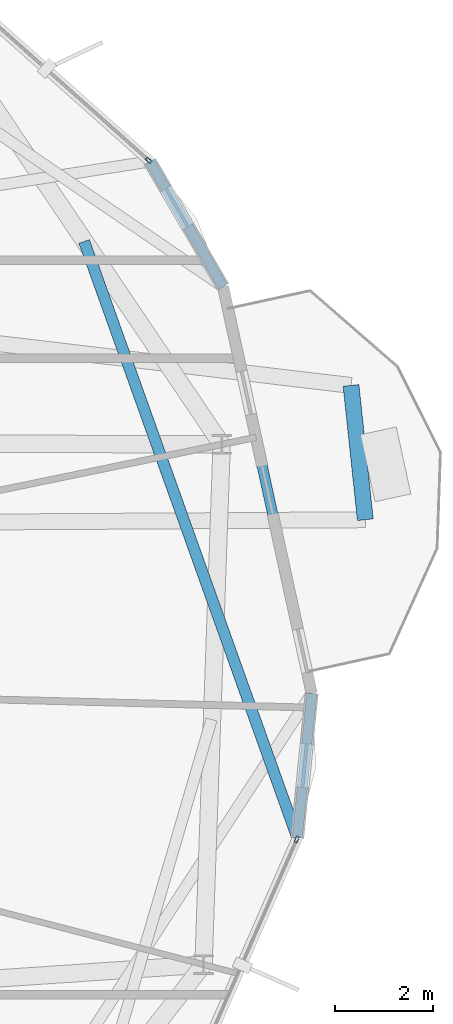
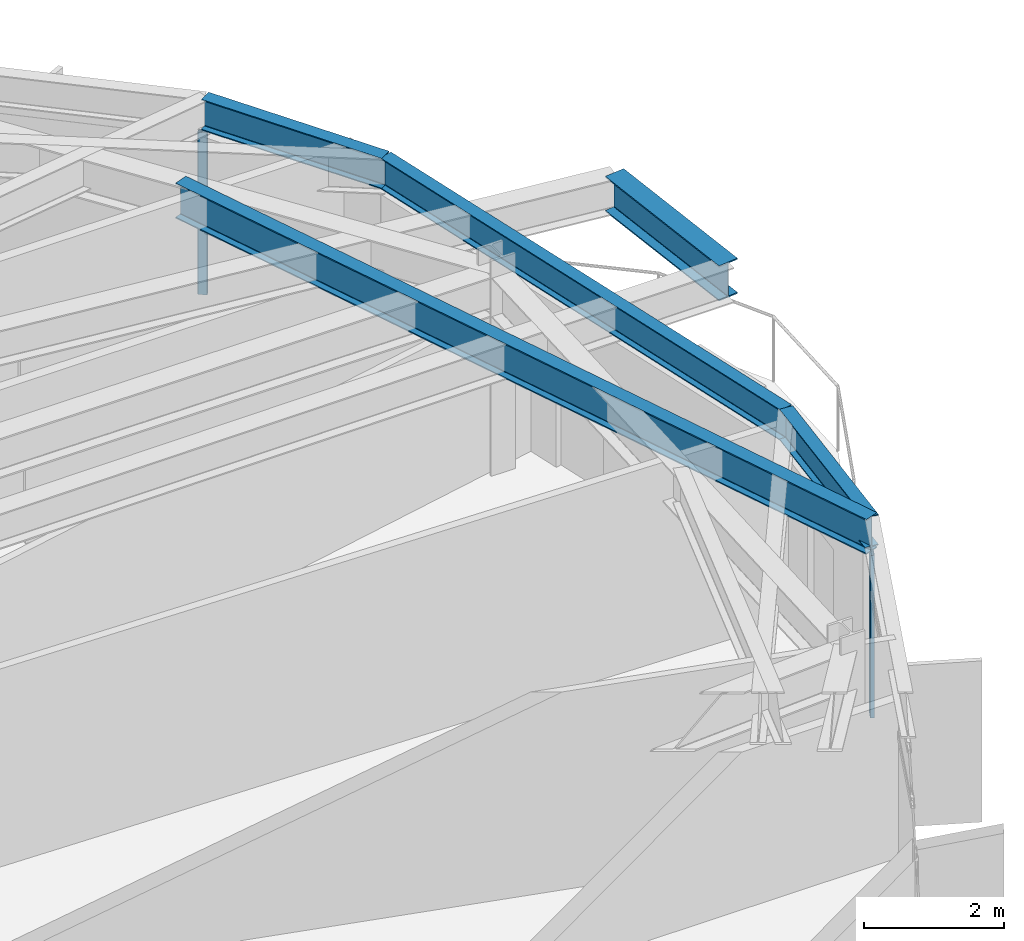
# One storey, part 14 of 25: 5 beams, 2 members, 2 elements without a shape of their own.
"""IFC4 building model written with IfcOpenShell, lengths in metres."""

import ifcopenshell
import ifcopenshell.guid

model = None  # the IFC model being written
_history = None  # IfcOwnerHistory: only IFC2X3 demands one
_inside = {}  # id of a spatial element -> (the spatial element, [elements in it])
_under = {}  # id of a project, library or spatial element -> (it, [spatial elements below it])
_declared = {}  # id of a project -> (the project, [libraries it declares])
_typed = {}  # id of a type object -> (the type object, [elements of that type])
_made_of = {}  # id of a material, layer set ... -> (it, [elements and type objects made of it])


def new_model(schema):
    """Start an empty IFC model of exactly this schema.

    Asked for "IFC4X3", IfcOpenShell would pick the latest addendum, in which some entities
    have other attributes; the version numbers below select the first issue.
    IFC2X3 requires an IfcOwnerHistory on every rooted entity: one is made here for all.
    """
    global model, _history
    if schema == "IFC4X3":
        model = ifcopenshell.file(schema_version=(4, 3, 0, 0))
    else:
        model = ifcopenshell.file(schema=schema)
    _inside.clear()
    _under.clear()
    _declared.clear()
    _typed.clear()
    _made_of.clear()
    _history = None
    if model.schema == "IFC2X3":
        org = make("IfcOrganization", Name="unknown")
        user = make(
            "IfcPersonAndOrganization",
            ThePerson=make("IfcPerson", FamilyName="unknown"),
            TheOrganization=org,
        )
        app = make(
            "IfcApplication",
            ApplicationDeveloper=org,
            Version="unknown",
            ApplicationFullName="unknown",
            ApplicationIdentifier="unknown",
        )
        _history = make(
            "IfcOwnerHistory",
            OwningUser=user,
            OwningApplication=app,
            ChangeAction="ADDED",
            CreationDate=0,
        )
    return model


def make(cls, **values):
    """One entity of the class cls with the attributes given. An attribute that is None is left unset."""
    return model.create_entity(
        cls, **{name: value for name, value in values.items() if value is not None}
    )


def rooted(cls, **values):
    """An entity with a GlobalId (a new one), such as an element, a storey or a relation."""
    return make(cls, GlobalId=ifcopenshell.guid.new(), OwnerHistory=_history, **values)


def si_unit(unit_type, name, prefix=None):
    """IfcSIUnit, for example si_unit("LENGTHUNIT", "METRE", prefix="MILLI")."""
    return make("IfcSIUnit", UnitType=unit_type, Prefix=prefix, Name=name)


def assignment(units):
    """IfcUnitAssignment: the units of a project."""
    return None if units is None else make("IfcUnitAssignment", Units=units)


def point(xyz):
    """IfcCartesianPoint."""
    return None if xyz is None else make("IfcCartesianPoint", Coordinates=xyz)


def direction(xyz):
    """IfcDirection."""
    return None if xyz is None else make("IfcDirection", DirectionRatios=xyz)


def frame(location, z_axis=None, x_axis=None):
    """IfcAxis2Placement3D, a coordinate frame: its origin and axes. An axis left out is left unset."""
    return make(
        "IfcAxis2Placement3D",
        Location=point(location),
        Axis=direction(z_axis),
        RefDirection=direction(x_axis),
    )


def frame_2d(location, x_axis=None):
    """IfcAxis2Placement2D, a coordinate frame in the plane: its origin and x axis."""
    return make(
        "IfcAxis2Placement2D", Location=point(location), RefDirection=direction(x_axis)
    )


def origin():
    """The frame at (0, 0, 0) with its axes left unset."""
    return frame((0.0, 0.0, 0.0))


def origin_2d():
    """The frame at (0, 0) in the plane with its x axis left unset."""
    return frame_2d((0.0, 0.0))


def place(relative_to, where):
    """IfcLocalPlacement: puts the frame where relative to a parent placement (None: the world)."""
    return make(
        "IfcLocalPlacement", PlacementRelTo=relative_to, RelativePlacement=where
    )


def context(
    kind, dimensions, precision=None, world=None, true_north=None, identifier=None
):
    """IfcGeometricRepresentationContext, for example the 3D "Model" context."""
    return make(
        "IfcGeometricRepresentationContext",
        ContextIdentifier=identifier,
        ContextType=kind,
        CoordinateSpaceDimension=dimensions,
        Precision=precision,
        WorldCoordinateSystem=world,
        TrueNorth=true_north,
    )


def subcontext(parent, identifier, kind, view, scale=None):
    """IfcGeometricRepresentationSubContext, for example "Body" below "Model"."""
    return make(
        "IfcGeometricRepresentationSubContext",
        ContextIdentifier=identifier,
        ContextType=kind,
        ParentContext=parent,
        TargetScale=scale,
        TargetView=view,
    )


def project(units=None, contexts=None):
    """IfcProject with its units and contexts."""
    return rooted(
        "IfcProject",
        Name="project",
        RepresentationContexts=contexts,
        UnitsInContext=assignment(units),
    )


def spatial(cls, under=None, at=None, **own):
    """A site, building, storey or space (cls), placed at a placement, below another one or the project."""
    s = rooted(cls, ObjectPlacement=at, **own)
    if under is not None:
        _under.setdefault(under.id(), (under, []))[1].append(s)
    return s


def profile(cls, at=None, kind="AREA", **sizes):
    """A parametric profile (cls). Its sizes go by their IFC names, for example OverallWidth=200.0."""
    return make(cls, ProfileType=kind, Position=at, **sizes)


def hollow_rectangle(**sizes):
    """IfcRectangleHollowProfileDef."""
    return profile("IfcRectangleHollowProfileDef", **sizes)


def i_section(**sizes):
    """IfcIShapeProfileDef."""
    return profile("IfcIShapeProfileDef", **sizes)


def extrude(swept, where, along, depth):
    """IfcExtrudedAreaSolid: the profile swept, set in the frame where, extruded along a direction by depth."""
    return make(
        "IfcExtrudedAreaSolid",
        SweptArea=swept,
        Position=where,
        ExtrudedDirection=direction(along),
        Depth=depth,
    )


def shape(context_of_items, identifier, shape_type, items):
    """IfcShapeRepresentation: the items that make up one representation, for example the "Body"."""
    return make(
        "IfcShapeRepresentation",
        ContextOfItems=context_of_items,
        RepresentationIdentifier=identifier,
        RepresentationType=shape_type,
        Items=items,
    )


def material(Name=None, Category=None):
    """IfcMaterial."""
    return make("IfcMaterial", Name=Name, Category=Category)


def layer(
    of_material, thickness, ventilated=None, Name=None, Category=None, Priority=None
):
    """IfcMaterialLayer: one layer of a wall or slab, of a material (None: an air gap)."""
    return make(
        "IfcMaterialLayer",
        Material=of_material,
        LayerThickness=thickness,
        IsVentilated=ventilated,
        Name=Name,
        Category=Category,
        Priority=Priority,
    )


def layer_set(layers, Name=None):
    """IfcMaterialLayerSet."""
    return make("IfcMaterialLayerSet", MaterialLayers=layers, LayerSetName=Name)


def material_profile(
    of_material, cross_section, Name=None, Category=None, Priority=None
):
    """IfcMaterialProfile: a cross section and its material."""
    return make(
        "IfcMaterialProfile",
        Name=Name,
        Material=of_material,
        Profile=cross_section,
        Priority=Priority,
        Category=Category,
    )


def profile_set(profiles, Name=None, composite=None):
    """IfcMaterialProfileSet."""
    return make(
        "IfcMaterialProfileSet",
        Name=Name,
        MaterialProfiles=profiles,
        CompositeProfile=composite,
    )


def made_of(thing, what):
    """Note that an element or type object is made of a material, layer set ...; save() writes the relation."""
    if what is not None:
        _made_of.setdefault(what.id(), (what, []))[1].append(thing)
    return thing


def type_object(cls, material=None, **own):
    """A type object (cls), such as IfcWallType, which elements share."""
    return made_of(rooted(cls, **own), material)


def element(
    cls,
    number,
    at=None,
    inside=None,
    cuts=None,
    type_object=None,
    material=None,
    context=None,
    identifier="Body",
    shape_type=None,
    held_by="IfcProductDefinitionShape",
    body=None,
    shapes=None,
    **own,
):
    """One element of the class cls, such as IfcWall. Its Tag is "e" and its number.

    at: its placement. inside: the storey or other place that contains it. cuts: it is an
    opening in that element (IfcRelVoidsElement). A single representation is given by context,
    identifier, shape_type and body (its items); several are given by shapes. held_by: the class
    of the entity that holds the representations. save() writes the other relations.
    """
    e = rooted(cls, Tag="e%d" % number, ObjectPlacement=at, **own)
    if body is not None:
        shapes = [shape(context, identifier, shape_type, body)]
    if shapes is not None:
        e.Representation = make(held_by, Representations=shapes)
    if inside is not None:
        _inside.setdefault(inside.id(), (inside, []))[1].append(e)
    if cuts is not None:
        rooted(
            "IfcRelVoidsElement", RelatingBuildingElement=cuts, RelatedOpeningElement=e
        )
    if type_object is not None:
        _typed.setdefault(type_object.id(), (type_object, []))[1].append(e)
    return made_of(e, material)


def aggregate(whole, parts):
    """IfcRelAggregates: a whole, such as a stair, and the parts it consists of."""
    return rooted("IfcRelAggregates", RelatingObject=whole, RelatedObjects=parts)


def save(model, path):
    """Write the relations noted so far, then the file.

    IfcRelAggregates (storeys below a building ...), IfcRelContainedInSpatialStructure (elements
    in a storey), IfcRelDefinesByType, IfcRelAssociatesMaterial and IfcRelDeclares: one each for
    every whole, place, type object, material and project.
    """
    for whole, parts in _under.values():
        aggregate(whole, parts)
    for where, things in _inside.values():
        rooted(
            "IfcRelContainedInSpatialStructure",
            RelatedElements=things,
            RelatingStructure=where,
        )
    for kind, things in _typed.values():
        rooted("IfcRelDefinesByType", RelatedObjects=things, RelatingType=kind)
    for what, things in _made_of.values():
        rooted("IfcRelAssociatesMaterial", RelatedObjects=things, RelatingMaterial=what)
    for by, libraries in _declared.values():
        rooted("IfcRelDeclares", RelatingContext=by, RelatedDefinitions=libraries)
    model.write(path)


model = new_model("IFC4")

# Units and contexts
model_context = context("Model", 3, precision=1e-05, world=origin(), true_north=direction((0.0, 1.0)))
body_context = subcontext(model_context, "Body", "Model", "MODEL_VIEW")
ifc_project = project(units=[si_unit("LENGTHUNIT", "METRE"), si_unit("AREAUNIT", "SQUARE_METRE"), si_unit("VOLUMEUNIT", "CUBIC_METRE"), si_unit("PLANEANGLEUNIT", "RADIAN"), si_unit("MASSUNIT", "GRAM", prefix="KILO")], contexts=[model_context])

# Site, building, storey
site_placement = place(None, origin())
site = spatial("IfcSite", under=ifc_project, at=site_placement, CompositionType="ELEMENT")
building_placement = place(site_placement, origin())
building = spatial("IfcBuilding", under=site, at=building_placement, Name="Soratama Intermodal Tower", CompositionType="ELEMENT")
storey_placement = place(building_placement, frame((0.0, 0.0, 276.25)))
storey = spatial("IfcBuildingStorey", under=building, at=storey_placement, Name="L70", CompositionType="ELEMENT", Elevation=276.25)

# Beams
ifc_material_1 = material(Name="Structural steel ASTM A992 Grade 50", Category="steel")
ifc_material_profile_1 = material_profile(ifc_material_1, i_section(OverallWidth=0.324951171875, OverallDepth=0.615966796875, WebThickness=0.013916015625, FlangeThickness=0.021484375, FilletRadius=0.013916015625, at=origin_2d()), Name="W24X117")
ifc_profile_set_1 = profile_set([ifc_material_profile_1], Name="Structural steel ASTM A992 Grade 50")
beam_type_1 = type_object("IfcBeamType", Name="BM-CANT-W24X117", PredefinedType="BEAM", material=ifc_profile_set_1)
beam_1_placement = place(storey_placement, frame((64.468017578125, 28.202880859375, 3.14208984375), z_axis=(-0.105845635219, 0.99438257301, 0.0), x_axis=(-0.99438257301, -0.105845635219, 0.0)))
element("IfcBeam", 1, at=beam_1_placement, inside=storey, type_object=beam_type_1, Name="BM-L70-CBHDR-1", PredefinedType="BEAM", context=body_context, shape_type="SweptSolid", body=[
    extrude(i_section(OverallWidth=0.324951171875, OverallDepth=0.615966796875, WebThickness=0.013916015625, FlangeThickness=0.021484375, FilletRadius=0.013916015625, at=origin_2d()), origin(), (0.0, 0.0, 1.0), 2.758544921875),
])
ifc_material_2 = material(Name="Structural steel ASTM A992 Grade 50", Category="steel")
ifc_material_profile_2 = material_profile(ifc_material_2, i_section(OverallWidth=0.2099609375, OverallDepth=0.537109375, WebThickness=0.010986328125, FlangeThickness=0.017333984375, FilletRadius=0.012939453125, at=origin_2d()), Name="W21X68")
ifc_profile_set_2 = profile_set([ifc_material_profile_2], Name="Structural steel ASTM A992 Grade 50")
beam_type_2 = type_object("IfcBeamType", Name="BM-SPN-W21X68", PredefinedType="SPANDREL", material=ifc_profile_set_2)
beam_2_placement = place(storey_placement, frame((63.080078125, 21.705078125, 3.181396484375), z_axis=(0.099414088841, 0.995046149151, 0.0), x_axis=(-0.995046149151, 0.099414088841, 0.0)))
element("IfcBeam", 2, at=beam_2_placement, inside=storey, type_object=beam_type_2, Name="BS-L70-CRN08", PredefinedType="SPANDREL", context=body_context, shape_type="SweptSolid", body=[
    extrude(i_section(OverallWidth=0.2099609375, OverallDepth=0.537109375, WebThickness=0.010986328125, FlangeThickness=0.017333984375, FilletRadius=0.012939453125, at=origin_2d()), origin(), (0.0, 0.0, 1.0), 2.966552734375),
])
beam_3_placement = place(storey_placement, frame((63.375, 24.656982421875, 3.181396484375), z_axis=(-0.213084315841, 0.977033814329, 0.0), x_axis=(-0.977033814329, -0.213084315841, 0.0)))
element("IfcBeam", 3, at=beam_3_placement, inside=storey, type_object=beam_type_2, Name="BS-L70-F09", PredefinedType="SPANDREL", context=body_context, shape_type="SweptSolid", body=[
    extrude(i_section(OverallWidth=0.2099609375, OverallDepth=0.537109375, WebThickness=0.010986328125, FlangeThickness=0.017333984375, FilletRadius=0.012939453125, at=origin_2d()), origin(), (0.0, 0.0, 1.0), 8.499267578125),
])
beam_4_placement = place(storey_placement, frame((61.56396484375, 32.9609375, 3.181396484375), z_axis=(-0.504515450366, 0.863402664081, 0.0), x_axis=(-0.863402664081, -0.504515450366, 0.0)))
element("IfcBeam", 4, at=beam_4_placement, inside=storey, type_object=beam_type_2, Name="BS-L70-CRN09", PredefinedType="SPANDREL", context=body_context, shape_type="SweptSolid", body=[
    extrude(i_section(OverallWidth=0.2099609375, OverallDepth=0.537109375, WebThickness=0.010986328125, FlangeThickness=0.017333984375, FilletRadius=0.012939453125, at=origin_2d()), origin(), (0.0, 0.0, 1.0), 2.96728515625),
])
ifc_material_3 = material(Name="Structural steel ASTM A992 Grade 50", Category="steel")
ifc_material_profile_3 = material_profile(ifc_material_3, i_section(OverallWidth=0.22900390625, OverallDepth=0.612060546875, WebThickness=0.011962890625, FlangeThickness=0.01953125, FilletRadius=0.012939453125, at=origin_2d()), Name="W24X84")
ifc_profile_set_3 = profile_set([ifc_material_profile_3], Name="Structural steel ASTM A992 Grade 50")
beam_type_3 = type_object("IfcBeamType", Name="BM-TIE-W24X84", PredefinedType="BEAM", material=ifc_profile_set_3)
beam_5_placement = place(storey_placement, frame((58.72509765625, 33.886962890625, 3.14404296875), z_axis=(0.336631665557, -0.94163640634, 0.0), x_axis=(0.94163640634, 0.336631665557, 0.0)))
element("IfcBeam", 5, at=beam_5_placement, inside=storey, type_object=beam_type_3, Name="BM-L70-TIE1-08", PredefinedType="BEAM", context=body_context, shape_type="SweptSolid", body=[
    extrude(i_section(OverallWidth=0.22900390625, OverallDepth=0.612060546875, WebThickness=0.011962890625, FlangeThickness=0.01953125, FilletRadius=0.012939453125, at=origin_2d()), origin(), (0.0, 0.0, 1.0), 12.93701171875),
])

# Curtain wall, member
ifc_material_4 = material(Name="Double-glazed aluminium curtain wall", Category="aluminium")
ifc_layer = layer(ifc_material_4, 0.159912109375)
ifc_layer_set = layer_set([ifc_layer], Name="Double-glazed aluminium curtain wall")
curtain_wall_type = type_object("IfcCurtainWallType", Name="CW-SYS-5", PredefinedType="NOTDEFINED", material=ifc_layer_set)
curtain_wall_1_placement = place(storey_placement, origin())
curtain_wall_1 = element("IfcCurtainWall", 6, at=curtain_wall_1_placement, inside=storey, type_object=curtain_wall_type, Name="L70 Faceted Curtain Wall F08", PredefinedType="NOTDEFINED")
ifc_material_5 = material(Name="Anodised aluminium AA 6063-T6", Category="aluminium")
ifc_material_profile_4 = material_profile(ifc_material_5, hollow_rectangle(XDim=0.06494140625, YDim=0.139892578125, WallThickness=0.0048828125, InnerFilletRadius=0.0048828125, OuterFilletRadius=0.010009765625, at=origin_2d()), Name="CWM140X65X5")
ifc_profile_set_4 = profile_set([ifc_material_profile_4], Name="Anodised aluminium AA 6063-T6")
member_type = type_object("IfcMemberType", Name="MT-CWM-5", PredefinedType="MULLION", material=ifc_profile_set_4)
member_1_placement = place(storey_placement, frame((63.068115234375, 21.67724609375, 0.0), z_axis=(0.0, 0.0, 1.0), x_axis=(-0.915660611945, 0.401952290369, 0.0)))
member_1 = element("IfcMember", 7, at=member_1_placement, type_object=member_type, Name="CW-5 mullion 2", PredefinedType="MULLION", context=body_context, shape_type="SweptSolid", body=[
    extrude(hollow_rectangle(XDim=0.06494140625, YDim=0.139892578125, WallThickness=0.0048828125, InnerFilletRadius=0.0048828125, OuterFilletRadius=0.010009765625, at=origin_2d()), origin(), (0.0, 0.0, 1.0), 2.8291015625),
])
aggregate(curtain_wall_1, [member_1])

curtain_wall_2_placement = place(storey_placement, origin())
curtain_wall_2 = element("IfcCurtainWall", 8, at=curtain_wall_2_placement, inside=storey, type_object=curtain_wall_type, Name="L70 Faceted Curtain Wall F10", PredefinedType="NOTDEFINED")
member_2_placement = place(storey_placement, frame((60.044921875, 35.54248046875, 0.0), z_axis=(0.0, 0.0, 1.0), x_axis=(-0.665233827722, -0.746635087881, 0.0)))
member_2 = element("IfcMember", 9, at=member_2_placement, type_object=member_type, Name="CW-5 mullion 1", PredefinedType="MULLION", context=body_context, shape_type="SweptSolid", body=[
    extrude(hollow_rectangle(XDim=0.06494140625, YDim=0.139892578125, WallThickness=0.0048828125, InnerFilletRadius=0.0048828125, OuterFilletRadius=0.010009765625, at=origin_2d()), origin(), (0.0, 0.0, 1.0), 2.8291015625),
])
aggregate(curtain_wall_2, [member_2])

save(model, "model.ifc")
